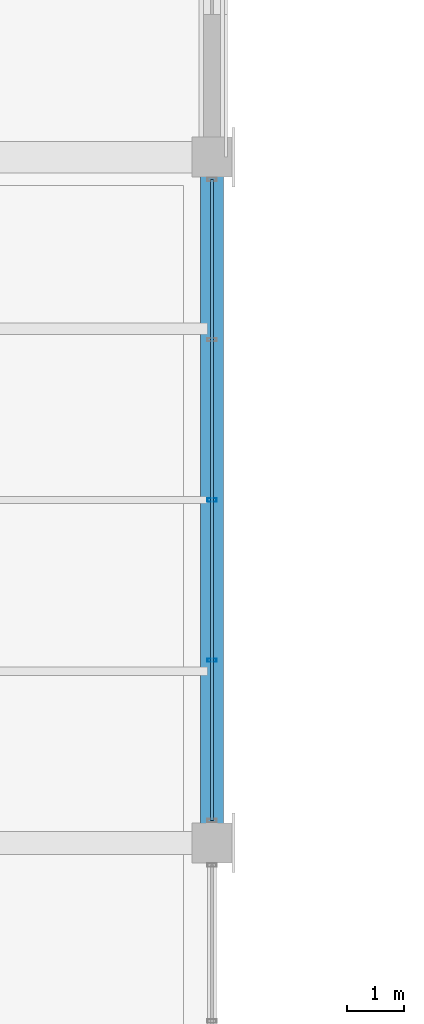
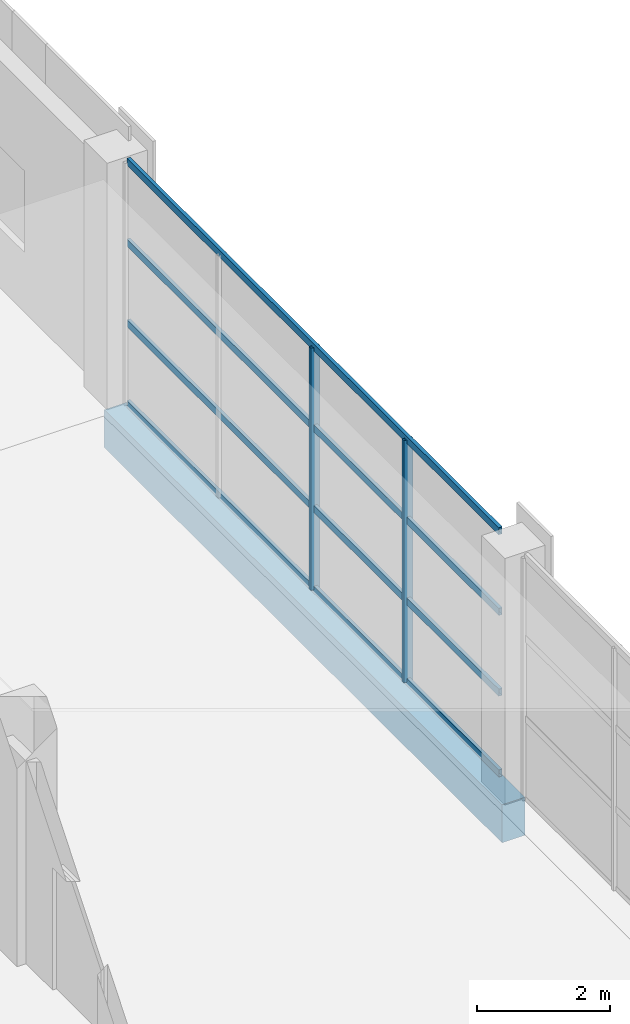
# One storey, part 23 of 112: 6 members, 1 beam, 1 element without a shape of its own.
"""IFC4 building model written with IfcOpenShell, lengths in metres."""

import ifcopenshell
import ifcopenshell.guid

model = None  # the IFC model being written
_history = None  # IfcOwnerHistory: only IFC2X3 demands one
_inside = {}  # id of a spatial element -> (the spatial element, [elements in it])
_under = {}  # id of a project, library or spatial element -> (it, [spatial elements below it])
_declared = {}  # id of a project -> (the project, [libraries it declares])
_typed = {}  # id of a type object -> (the type object, [elements of that type])
_made_of = {}  # id of a material, layer set ... -> (it, [elements and type objects made of it])


def new_model(schema):
    """Start an empty IFC model of exactly this schema.

    Asked for "IFC4X3", IfcOpenShell would pick the latest addendum, in which some entities
    have other attributes; the version numbers below select the first issue.
    IFC2X3 requires an IfcOwnerHistory on every rooted entity: one is made here for all.
    """
    global model, _history
    if schema == "IFC4X3":
        model = ifcopenshell.file(schema_version=(4, 3, 0, 0))
    else:
        model = ifcopenshell.file(schema=schema)
    _inside.clear()
    _under.clear()
    _declared.clear()
    _typed.clear()
    _made_of.clear()
    _history = None
    if model.schema == "IFC2X3":
        org = make("IfcOrganization", Name="unknown")
        user = make(
            "IfcPersonAndOrganization",
            ThePerson=make("IfcPerson", FamilyName="unknown"),
            TheOrganization=org,
        )
        app = make(
            "IfcApplication",
            ApplicationDeveloper=org,
            Version="unknown",
            ApplicationFullName="unknown",
            ApplicationIdentifier="unknown",
        )
        _history = make(
            "IfcOwnerHistory",
            OwningUser=user,
            OwningApplication=app,
            ChangeAction="ADDED",
            CreationDate=0,
        )
    return model


def make(cls, **values):
    """One entity of the class cls with the attributes given. An attribute that is None is left unset."""
    return model.create_entity(
        cls, **{name: value for name, value in values.items() if value is not None}
    )


def rooted(cls, **values):
    """An entity with a GlobalId (a new one), such as an element, a storey or a relation."""
    return make(cls, GlobalId=ifcopenshell.guid.new(), OwnerHistory=_history, **values)


def si_unit(unit_type, name, prefix=None):
    """IfcSIUnit, for example si_unit("LENGTHUNIT", "METRE", prefix="MILLI")."""
    return make("IfcSIUnit", UnitType=unit_type, Prefix=prefix, Name=name)


def assignment(units):
    """IfcUnitAssignment: the units of a project."""
    return None if units is None else make("IfcUnitAssignment", Units=units)


def point(xyz):
    """IfcCartesianPoint."""
    return None if xyz is None else make("IfcCartesianPoint", Coordinates=xyz)


def direction(xyz):
    """IfcDirection."""
    return None if xyz is None else make("IfcDirection", DirectionRatios=xyz)


def frame(location, z_axis=None, x_axis=None):
    """IfcAxis2Placement3D, a coordinate frame: its origin and axes. An axis left out is left unset."""
    return make(
        "IfcAxis2Placement3D",
        Location=point(location),
        Axis=direction(z_axis),
        RefDirection=direction(x_axis),
    )


def frame_2d(location, x_axis=None):
    """IfcAxis2Placement2D, a coordinate frame in the plane: its origin and x axis."""
    return make(
        "IfcAxis2Placement2D", Location=point(location), RefDirection=direction(x_axis)
    )


def origin():
    """The frame at (0, 0, 0) with its axes left unset."""
    return frame((0.0, 0.0, 0.0))


def origin_2d():
    """The frame at (0, 0) in the plane with its x axis left unset."""
    return frame_2d((0.0, 0.0))


def place(relative_to, where):
    """IfcLocalPlacement: puts the frame where relative to a parent placement (None: the world)."""
    return make(
        "IfcLocalPlacement", PlacementRelTo=relative_to, RelativePlacement=where
    )


def context(
    kind, dimensions, precision=None, world=None, true_north=None, identifier=None
):
    """IfcGeometricRepresentationContext, for example the 3D "Model" context."""
    return make(
        "IfcGeometricRepresentationContext",
        ContextIdentifier=identifier,
        ContextType=kind,
        CoordinateSpaceDimension=dimensions,
        Precision=precision,
        WorldCoordinateSystem=world,
        TrueNorth=true_north,
    )


def subcontext(parent, identifier, kind, view, scale=None):
    """IfcGeometricRepresentationSubContext, for example "Body" below "Model"."""
    return make(
        "IfcGeometricRepresentationSubContext",
        ContextIdentifier=identifier,
        ContextType=kind,
        ParentContext=parent,
        TargetScale=scale,
        TargetView=view,
    )


def project(units=None, contexts=None):
    """IfcProject with its units and contexts."""
    return rooted(
        "IfcProject",
        Name="project",
        RepresentationContexts=contexts,
        UnitsInContext=assignment(units),
    )


def spatial(cls, under=None, at=None, **own):
    """A site, building, storey or space (cls), placed at a placement, below another one or the project."""
    s = rooted(cls, ObjectPlacement=at, **own)
    if under is not None:
        _under.setdefault(under.id(), (under, []))[1].append(s)
    return s


def profile(cls, at=None, kind="AREA", **sizes):
    """A parametric profile (cls). Its sizes go by their IFC names, for example OverallWidth=200.0."""
    return make(cls, ProfileType=kind, Position=at, **sizes)


def rectangle(**sizes):
    """IfcRectangleProfileDef."""
    return profile("IfcRectangleProfileDef", **sizes)


def hollow_rectangle(**sizes):
    """IfcRectangleHollowProfileDef."""
    return profile("IfcRectangleHollowProfileDef", **sizes)


def extrude(swept, where, along, depth):
    """IfcExtrudedAreaSolid: the profile swept, set in the frame where, extruded along a direction by depth."""
    return make(
        "IfcExtrudedAreaSolid",
        SweptArea=swept,
        Position=where,
        ExtrudedDirection=direction(along),
        Depth=depth,
    )


def shape(context_of_items, identifier, shape_type, items):
    """IfcShapeRepresentation: the items that make up one representation, for example the "Body"."""
    return make(
        "IfcShapeRepresentation",
        ContextOfItems=context_of_items,
        RepresentationIdentifier=identifier,
        RepresentationType=shape_type,
        Items=items,
    )


def material(Name=None, Category=None):
    """IfcMaterial."""
    return make("IfcMaterial", Name=Name, Category=Category)


def material_profile(
    of_material, cross_section, Name=None, Category=None, Priority=None
):
    """IfcMaterialProfile: a cross section and its material."""
    return make(
        "IfcMaterialProfile",
        Name=Name,
        Material=of_material,
        Profile=cross_section,
        Priority=Priority,
        Category=Category,
    )


def profile_set(profiles, Name=None, composite=None):
    """IfcMaterialProfileSet."""
    return make(
        "IfcMaterialProfileSet",
        Name=Name,
        MaterialProfiles=profiles,
        CompositeProfile=composite,
    )


def made_of(thing, what):
    """Note that an element or type object is made of a material, layer set ...; save() writes the relation."""
    if what is not None:
        _made_of.setdefault(what.id(), (what, []))[1].append(thing)
    return thing


def type_object(cls, material=None, **own):
    """A type object (cls), such as IfcWallType, which elements share."""
    return made_of(rooted(cls, **own), material)


def element(
    cls,
    number,
    at=None,
    inside=None,
    cuts=None,
    type_object=None,
    material=None,
    context=None,
    identifier="Body",
    shape_type=None,
    held_by="IfcProductDefinitionShape",
    body=None,
    shapes=None,
    **own,
):
    """One element of the class cls, such as IfcWall. Its Tag is "e" and its number.

    at: its placement. inside: the storey or other place that contains it. cuts: it is an
    opening in that element (IfcRelVoidsElement). A single representation is given by context,
    identifier, shape_type and body (its items); several are given by shapes. held_by: the class
    of the entity that holds the representations. save() writes the other relations.
    """
    e = rooted(cls, Tag="e%d" % number, ObjectPlacement=at, **own)
    if body is not None:
        shapes = [shape(context, identifier, shape_type, body)]
    if shapes is not None:
        e.Representation = make(held_by, Representations=shapes)
    if inside is not None:
        _inside.setdefault(inside.id(), (inside, []))[1].append(e)
    if cuts is not None:
        rooted(
            "IfcRelVoidsElement", RelatingBuildingElement=cuts, RelatedOpeningElement=e
        )
    if type_object is not None:
        _typed.setdefault(type_object.id(), (type_object, []))[1].append(e)
    return made_of(e, material)


def aggregate(whole, parts):
    """IfcRelAggregates: a whole, such as a stair, and the parts it consists of."""
    return rooted("IfcRelAggregates", RelatingObject=whole, RelatedObjects=parts)


def save(model, path):
    """Write the relations noted so far, then the file.

    IfcRelAggregates (storeys below a building ...), IfcRelContainedInSpatialStructure (elements
    in a storey), IfcRelDefinesByType, IfcRelAssociatesMaterial and IfcRelDeclares: one each for
    every whole, place, type object, material and project.
    """
    for whole, parts in _under.values():
        aggregate(whole, parts)
    for where, things in _inside.values():
        rooted(
            "IfcRelContainedInSpatialStructure",
            RelatedElements=things,
            RelatingStructure=where,
        )
    for kind, things in _typed.values():
        rooted("IfcRelDefinesByType", RelatedObjects=things, RelatingType=kind)
    for what, things in _made_of.values():
        rooted("IfcRelAssociatesMaterial", RelatedObjects=things, RelatingMaterial=what)
    for by, libraries in _declared.values():
        rooted("IfcRelDeclares", RelatingContext=by, RelatedDefinitions=libraries)
    model.write(path)


model = new_model("IFC4")

# Units and contexts
model_context = context("Model", 3, precision=1e-05, world=origin(), true_north=direction((0.0, 1.0)))
body_context = subcontext(model_context, "Body", "Model", "MODEL_VIEW")
ifc_project = project(units=[si_unit("LENGTHUNIT", "METRE"), si_unit("AREAUNIT", "SQUARE_METRE"), si_unit("VOLUMEUNIT", "CUBIC_METRE"), si_unit("PLANEANGLEUNIT", "RADIAN"), si_unit("MASSUNIT", "GRAM", prefix="KILO")], contexts=[model_context])

# Site, building, storey
site_placement = place(None, origin())
site = spatial("IfcSite", under=ifc_project, at=site_placement, CompositionType="ELEMENT")
building_placement = place(site_placement, origin())
building = spatial("IfcBuilding", under=site, at=building_placement, Name="Solvikara Media Centre", CompositionType="ELEMENT")
storey_placement = place(building_placement, frame((0.0, 0.0, 5.39990234375)))
storey = spatial("IfcBuildingStorey", under=building, at=storey_placement, Name="L01", CompositionType="ELEMENT", Elevation=5.39990234375)

# Beam
ifc_material_1 = material(Name="Concrete fc' 35 MPa (C35/45)", Category="concrete")
ifc_material_profile_1 = material_profile(ifc_material_1, rectangle(XDim=0.39990234375, YDim=0.699951171875, at=origin_2d()), Name="RC 400x700")
ifc_profile_set_1 = profile_set([ifc_material_profile_1], Name="Concrete fc' 35 MPa (C35/45)")
beam_type = type_object("IfcBeamType", Name="BM-13", PredefinedType="SPANDREL", material=ifc_profile_set_1)
beam_placement = place(storey_placement, frame((34.0, 56.5, -0.60986328125), z_axis=(0.0, 1.0, 0.0), x_axis=(-1.0, 0.0, 0.0)))
element("IfcBeam", 1, at=beam_placement, inside=storey, type_object=beam_type, Name="B-L01-Y0577", PredefinedType="SPANDREL", context=body_context, shape_type="SweptSolid", body=[
    extrude(rectangle(XDim=0.39990234375, YDim=0.699951171875, at=origin_2d()), origin(), (0.0, 0.0, 1.0), 12.0),
])

# Curtain wall, members
ifc_material_2 = material(Name="Anodised aluminium EN AW-6063", Category="aluminium")
curtain_wall_type = type_object("IfcCurtainWallType", Name="CW-07", PredefinedType="NOTDEFINED", material=ifc_material_2)
curtain_wall_placement = place(storey_placement, origin())
curtain_wall = element("IfcCurtainWall", 2, at=curtain_wall_placement, inside=storey, type_object=curtain_wall_type, Name="CW-L01-V4E-S2", PredefinedType="NOTDEFINED")
ifc_material_profile_2 = material_profile(ifc_material_2, hollow_rectangle(XDim=0.06005859375, YDim=0.159912109375, WallThickness=0.00341796875, at=origin_2d()), Name="ALU-M 60x160x3.5")
ifc_profile_set_2 = profile_set([ifc_material_profile_2], Name="Anodised aluminium EN AW-6063")
member_type_1 = type_object("IfcMemberType", Name="MF-04", PredefinedType="MULLION", material=ifc_profile_set_2)
member_1_placement = place(storey_placement, frame((34.0, 59.695068359375, 0.02001953125), z_axis=(0.0, 0.0, 1.0), x_axis=(0.0, 1.0, 0.0)))
member_1 = element("IfcMember", 3, at=member_1_placement, type_object=member_type_1, Name="CW-L01-V4E-S2-M01", PredefinedType="MULLION", context=body_context, shape_type="SweptSolid", body=[
    extrude(hollow_rectangle(XDim=0.06005859375, YDim=0.159912109375, WallThickness=0.00341796875, at=origin_2d()), origin(), (0.0, 0.0, 1.0), 4.4599609375),
])
member_2_placement = place(storey_placement, frame((34.0, 62.5, 0.02001953125), z_axis=(0.0, 0.0, 1.0), x_axis=(0.0, 1.0, 0.0)))
member_2 = element("IfcMember", 4, at=member_2_placement, type_object=member_type_1, Name="CW-L01-V4E-S2-M02", PredefinedType="MULLION", context=body_context, shape_type="SweptSolid", body=[
    extrude(hollow_rectangle(XDim=0.06005859375, YDim=0.159912109375, WallThickness=0.00341796875, at=origin_2d()), origin(), (0.0, 0.0, 1.0), 4.4599609375),
])
ifc_material_profile_3 = material_profile(ifc_material_2, hollow_rectangle(XDim=0.06005859375, YDim=0.1298828125, WallThickness=0.0029296875, at=origin_2d()), Name="ALU-T 60x130x3")
ifc_profile_set_3 = profile_set([ifc_material_profile_3], Name="Anodised aluminium EN AW-6063")
member_type_2 = type_object("IfcMemberType", Name="MF-10", PredefinedType="USERDEFINED", material=ifc_profile_set_3)
member_3_placement = place(storey_placement, frame((34.0, 56.889892578125, 0.02001953125), z_axis=(0.0, 1.0, 0.0), x_axis=(-1.0, 0.0, 0.0)))
member_3 = element("IfcMember", 5, at=member_3_placement, type_object=member_type_2, Name="CW-L01-V4E-S2-T00", ObjectType="TRANSOM", PredefinedType="USERDEFINED", context=body_context, shape_type="SweptSolid", body=[
    extrude(hollow_rectangle(XDim=0.06005859375, YDim=0.1298828125, WallThickness=0.0029296875, at=origin_2d()), origin(), (0.0, 0.0, 1.0), 11.22021484375),
])
member_4_placement = place(storey_placement, frame((34.0, 56.889892578125, 1.507080078125), z_axis=(0.0, 1.0, 0.0), x_axis=(-1.0, 0.0, 0.0)))
member_4 = element("IfcMember", 6, at=member_4_placement, type_object=member_type_2, Name="CW-L01-V4E-S2-T01", ObjectType="TRANSOM", PredefinedType="USERDEFINED", context=body_context, shape_type="SweptSolid", body=[
    extrude(hollow_rectangle(XDim=0.06005859375, YDim=0.1298828125, WallThickness=0.0029296875, at=origin_2d()), origin(), (0.0, 0.0, 1.0), 11.22021484375),
])
member_5_placement = place(storey_placement, frame((34.0, 56.889892578125, 2.9931640625), z_axis=(0.0, 1.0, 0.0), x_axis=(-1.0, 0.0, 0.0)))
member_5 = element("IfcMember", 7, at=member_5_placement, type_object=member_type_2, Name="CW-L01-V4E-S2-T02", ObjectType="TRANSOM", PredefinedType="USERDEFINED", context=body_context, shape_type="SweptSolid", body=[
    extrude(hollow_rectangle(XDim=0.06005859375, YDim=0.1298828125, WallThickness=0.0029296875, at=origin_2d()), origin(), (0.0, 0.0, 1.0), 11.22021484375),
])
member_6_placement = place(storey_placement, frame((34.0, 56.889892578125, 4.47998046875), z_axis=(0.0, 1.0, 0.0), x_axis=(-1.0, 0.0, 0.0)))
member_6 = element("IfcMember", 8, at=member_6_placement, type_object=member_type_2, Name="CW-L01-V4E-S2-T03", ObjectType="TRANSOM", PredefinedType="USERDEFINED", context=body_context, shape_type="SweptSolid", body=[
    extrude(hollow_rectangle(XDim=0.06005859375, YDim=0.1298828125, WallThickness=0.0029296875, at=origin_2d()), origin(), (0.0, 0.0, 1.0), 11.22021484375),
])
aggregate(curtain_wall, [member_1, member_2, member_3, member_4, member_5, member_6])

save(model, "model.ifc")
